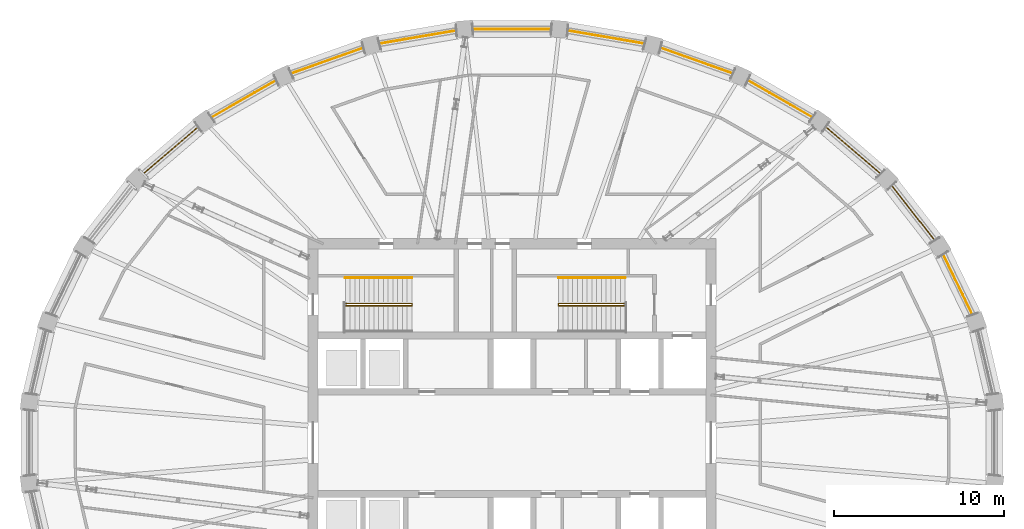
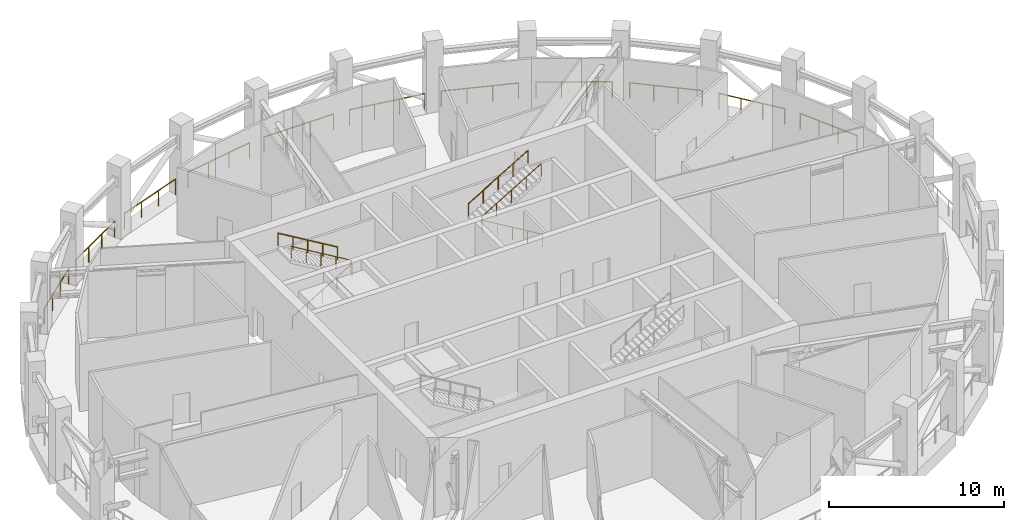
# One storey, part 19 of 20: 15 railings.
"""IFC4 building model written with IfcOpenShell, lengths in metres."""

from ifc_helpers import new_model, si_unit, direction, frame, origin, origin_2d, place, context, subcontext, project, spatial, circle, extrude, material, type_object, element, save


model = new_model("IFC4")

# Units and contexts
model_context = context("Model", 3, precision=1e-05, world=origin(), true_north=direction((0.0, 1.0)))
body_context = subcontext(model_context, "Body", "Model", "MODEL_VIEW")
ifc_project = project(units=[si_unit("LENGTHUNIT", "METRE"), si_unit("AREAUNIT", "SQUARE_METRE"), si_unit("VOLUMEUNIT", "CUBIC_METRE"), si_unit("PLANEANGLEUNIT", "RADIAN"), si_unit("MASSUNIT", "GRAM", prefix="KILO")], contexts=[model_context])

# Site, building, storey
site_placement = place(None, origin())
site = spatial("IfcSite", under=ifc_project, at=site_placement, CompositionType="ELEMENT")
building_placement = place(site_placement, origin())
building = spatial("IfcBuilding", under=site, at=building_placement, Name="Halqa Exchange Tower", CompositionType="ELEMENT")
storey_placement = place(building_placement, frame((0.0, 0.0, 328.300048828125)))
storey = spatial("IfcBuildingStorey", under=building, at=storey_placement, Name="L77", CompositionType="ELEMENT", Elevation=328.300048828125)

# Railings
ifc_material = material(Name="Stainless steel", Category="steel")
railing_type_1 = type_object("IfcRailingType", Name="Guard 1100 stainless steel", PredefinedType="GUARDRAIL", material=ifc_material)
railing_1_placement = place(storey_placement, frame((27.05517578125, 7.54150390625, 0.0)))
element("IfcRailing", 1, at=railing_1_placement, inside=storey, type_object=railing_type_1, Name="Plant edge guard 2", PredefinedType="GUARDRAIL", context=body_context, shape_type="SweptSolid", body=[
    extrude(circle(Radius=0.02392578125, at=origin_2d()), frame((0.0, 0.0, 1.076171875), z_axis=(-0.435096180498, 0.900383981263, 0.0), x_axis=(-0.900383981263, -0.435096180498, 0.0)), (0.0, 0.0, 1.0), 3.913818359375),
    extrude(circle(Radius=0.02099609375, at=origin_2d()), origin(), (0.0, 0.0, 1.0), 1.052001953125),
    extrude(circle(Radius=0.02099609375, at=origin_2d()), frame((-0.567626953125, 1.174560546875, 0.0)), (0.0, 0.0, 1.0), 1.052001953125),
    extrude(circle(Radius=0.02099609375, at=origin_2d()), frame((-1.13525390625, 2.349365234375, 0.0)), (0.0, 0.0, 1.0), 1.052001953125),
    extrude(circle(Radius=0.02099609375, at=origin_2d()), frame((-1.702880859375, 3.52392578125, 0.0)), (0.0, 0.0, 1.0), 1.052001953125),
])
railing_2_placement = place(storey_placement, frame((24.827392578125, 11.909912109375, 0.0)))
element("IfcRailing", 2, at=railing_2_placement, inside=storey, type_object=railing_type_1, Name="Plant edge guard 3", PredefinedType="GUARDRAIL", context=body_context, shape_type="SweptSolid", body=[
    extrude(circle(Radius=0.02392578125, at=origin_2d()), frame((0.0, 0.0, 1.076171875), z_axis=(-0.614821078368, 0.788666622594, 0.0), x_axis=(-0.788666622594, -0.614821078368, 0.0)), (0.0, 0.0, 1.0), 4.048828125),
    extrude(circle(Radius=0.02099609375, at=origin_2d()), origin(), (0.0, 0.0, 1.0), 1.052001953125),
    extrude(circle(Radius=0.02099609375, at=origin_2d()), frame((-0.829833984375, 1.064453125, 0.0)), (0.0, 0.0, 1.0), 1.052001953125),
    extrude(circle(Radius=0.02099609375, at=origin_2d()), frame((-1.659423828125, 2.128662109375, 0.0)), (0.0, 0.0, 1.0), 1.052001953125),
    extrude(circle(Radius=0.02099609375, at=origin_2d()), frame((-2.4892578125, 3.193115234375, 0.0)), (0.0, 0.0, 1.0), 1.052001953125),
])
railing_3_placement = place(storey_placement, frame((21.651123046875, 15.82275390625, 0.0)))
element("IfcRailing", 3, at=railing_3_placement, inside=storey, type_object=railing_type_1, Name="Plant edge guard 4", PredefinedType="GUARDRAIL", context=body_context, shape_type="SweptSolid", body=[
    extrude(circle(Radius=0.02392578125, at=origin_2d()), frame((0.0, 0.0, 1.076171875), z_axis=(-0.75927300229, 0.650772239723, 0.0), x_axis=(-0.650772239723, -0.75927300229, 0.0)), (0.0, 0.0, 1.0), 4.203125),
    extrude(circle(Radius=0.02099609375, at=origin_2d()), origin(), (0.0, 0.0, 1.0), 1.052001953125),
    extrude(circle(Radius=0.02099609375, at=origin_2d()), frame((-1.063720703125, 0.911865234375, 0.0)), (0.0, 0.0, 1.0), 1.052001953125),
    extrude(circle(Radius=0.02099609375, at=origin_2d()), frame((-2.127685546875, 1.823486328125, 0.0)), (0.0, 0.0, 1.0), 1.052001953125),
    extrude(circle(Radius=0.02099609375, at=origin_2d()), frame((-3.19140625, 2.7353515625, 0.0)), (0.0, 0.0, 1.0), 1.052001953125),
])
railing_4_placement = place(storey_placement, frame((17.646240234375, 19.132080078125, 0.0)))
element("IfcRailing", 4, at=railing_4_placement, inside=storey, type_object=railing_type_1, Name="Plant edge guard 5", PredefinedType="GUARDRAIL", context=body_context, shape_type="SweptSolid", body=[
    extrude(circle(Radius=0.02392578125, at=origin_2d()), frame((0.0, 0.0, 1.076171875), z_axis=(-0.867752650497, 0.496996315434, 0.0), x_axis=(-0.496996315434, -0.867752650497, 0.0)), (0.0, 0.0, 1.0), 4.353271484375),
    extrude(circle(Radius=0.02099609375, at=origin_2d()), origin(), (0.0, 0.0, 1.0), 1.052001953125),
    extrude(circle(Radius=0.02099609375, at=origin_2d()), frame((-1.25927734375, 0.72119140625, 0.0)), (0.0, 0.0, 1.0), 1.052001953125),
    extrude(circle(Radius=0.02099609375, at=origin_2d()), frame((-2.518310546875, 1.4423828125, 0.0)), (0.0, 0.0, 1.0), 1.052001953125),
    extrude(circle(Radius=0.02099609375, at=origin_2d()), frame((-3.777587890625, 2.16357421875, 0.0)), (0.0, 0.0, 1.0), 1.052001953125),
])
railing_5_placement = place(storey_placement, frame((12.963623046875, 21.71142578125, 0.0)))
element("IfcRailing", 5, at=railing_5_placement, inside=storey, type_object=railing_type_1, Name="Plant edge guard 6", PredefinedType="GUARDRAIL", context=body_context, shape_type="SweptSolid", body=[
    extrude(circle(Radius=0.02392578125, at=origin_2d()), frame((0.0, 0.0, 1.076171875), z_axis=(-0.942364531835, 0.334587939321, 0.0), x_axis=(-0.334587939321, -0.942364531835, 0.0)), (0.0, 0.0, 1.0), 4.477294921875),
    extrude(circle(Radius=0.02099609375, at=origin_2d()), origin(), (0.0, 0.0, 1.0), 1.052001953125),
    extrude(circle(Radius=0.02099609375, at=origin_2d()), frame((-1.406494140625, 0.499267578125, 0.0)), (0.0, 0.0, 1.0), 1.052001953125),
    extrude(circle(Radius=0.02099609375, at=origin_2d()), frame((-2.812744140625, 0.998779296875, 0.0)), (0.0, 0.0, 1.0), 1.052001953125),
    extrude(circle(Radius=0.02099609375, at=origin_2d()), frame((-4.21923828125, 1.498046875, 0.0)), (0.0, 0.0, 1.0), 1.052001953125),
])
railing_6_placement = place(storey_placement, frame((7.7802734375, 23.460693359375, 0.0)))
element("IfcRailing", 6, at=railing_6_placement, inside=storey, type_object=railing_type_1, Name="Plant edge guard 7", PredefinedType="GUARDRAIL", context=body_context, shape_type="SweptSolid", body=[
    extrude(circle(Radius=0.02392578125, at=origin_2d()), frame((0.0, 0.0, 1.076171875), z_axis=(-0.985768911013, 0.168106079843, 0.0), x_axis=(-0.168106079843, -0.985768911013, 0.0)), (0.0, 0.0, 1.0), 4.558837890625),
    extrude(circle(Radius=0.02099609375, at=origin_2d()), origin(), (0.0, 0.0, 1.0), 1.052001953125),
    extrude(circle(Radius=0.02099609375, at=origin_2d()), frame((-1.498046875, 0.25537109375, 0.0)), (0.0, 0.0, 1.0), 1.052001953125),
    extrude(circle(Radius=0.02099609375, at=origin_2d()), frame((-2.995849609375, 0.510986328125, 0.0)), (0.0, 0.0, 1.0), 1.052001953125),
    extrude(circle(Radius=0.02099609375, at=origin_2d()), frame((-4.493896484375, 0.766357421875, 0.0)), (0.0, 0.0, 1.0), 1.052001953125),
])
railing_7_placement = place(storey_placement, frame((2.29345703125, 24.31103515625, 0.0)))
element("IfcRailing", 7, at=railing_7_placement, inside=storey, type_object=railing_type_1, Name="Plant edge guard 8", PredefinedType="GUARDRAIL", context=body_context, shape_type="SweptSolid", body=[
    extrude(circle(Radius=0.02392578125, at=origin_2d()), frame((0.0, 0.0, 1.076171875), z_axis=(-1.0, 0.0, 0.0), x_axis=(0.0, -1.0, 0.0)), (0.0, 0.0, 1.0), 4.5869140625),
    extrude(circle(Radius=0.02099609375, at=origin_2d()), origin(), (0.0, 0.0, 1.0), 1.052001953125),
    extrude(circle(Radius=0.02099609375, at=origin_2d()), frame((-1.529052734375, 0.0, 0.0)), (0.0, 0.0, 1.0), 1.052001953125),
    extrude(circle(Radius=0.02099609375, at=origin_2d()), frame((-3.057861328125, 0.0, 0.0)), (0.0, 0.0, 1.0), 1.052001953125),
    extrude(circle(Radius=0.02099609375, at=origin_2d()), frame((-4.5869140625, 0.0, 0.0)), (0.0, 0.0, 1.0), 1.052001953125),
])
railing_8_placement = place(storey_placement, frame((-3.286376953125, 24.22705078125, 0.0)))
element("IfcRailing", 8, at=railing_8_placement, inside=storey, type_object=railing_type_1, Name="Plant edge guard 9", PredefinedType="GUARDRAIL", context=body_context, shape_type="SweptSolid", body=[
    extrude(circle(Radius=0.02392578125, at=origin_2d()), frame((0.0, 0.0, 1.076171875), z_axis=(-0.985768911013, -0.168106079843, 0.0), x_axis=(0.168106079843, -0.985768911013, 0.0)), (0.0, 0.0, 1.0), 4.558837890625),
    extrude(circle(Radius=0.02099609375, at=origin_2d()), origin(), (0.0, 0.0, 1.0), 1.052001953125),
    extrude(circle(Radius=0.02099609375, at=origin_2d()), frame((-1.498046875, -0.25537109375, 0.0)), (0.0, 0.0, 1.0), 1.052001953125),
    extrude(circle(Radius=0.02099609375, at=origin_2d()), frame((-2.995849609375, -0.510986328125, 0.0)), (0.0, 0.0, 1.0), 1.052001953125),
    extrude(circle(Radius=0.02099609375, at=origin_2d()), frame((-4.493896484375, -0.766357421875, 0.0)), (0.0, 0.0, 1.0), 1.052001953125),
])
railing_9_placement = place(storey_placement, frame((-8.744384765625, 23.20947265625, 0.0)))
element("IfcRailing", 9, at=railing_9_placement, inside=storey, type_object=railing_type_1, Name="Plant edge guard 10", PredefinedType="GUARDRAIL", context=body_context, shape_type="SweptSolid", body=[
    extrude(circle(Radius=0.02392578125, at=origin_2d()), frame((0.0, 0.0, 1.076171875), z_axis=(-0.942364531835, -0.334587939321, 0.0), x_axis=(0.334587939321, -0.942364531835, 0.0)), (0.0, 0.0, 1.0), 4.477294921875),
    extrude(circle(Radius=0.02099609375, at=origin_2d()), origin(), (0.0, 0.0, 1.0), 1.052001953125),
    extrude(circle(Radius=0.02099609375, at=origin_2d()), frame((-1.406494140625, -0.499267578125, 0.0)), (0.0, 0.0, 1.0), 1.052001953125),
    extrude(circle(Radius=0.02099609375, at=origin_2d()), frame((-2.812744140625, -0.998779296875, 0.0)), (0.0, 0.0, 1.0), 1.052001953125),
    extrude(circle(Radius=0.02099609375, at=origin_2d()), frame((-4.21923828125, -1.498046875, 0.0)), (0.0, 0.0, 1.0), 1.052001953125),
])
railing_10_placement = place(storey_placement, frame((-13.86865234375, 21.295654296875, 0.0)))
element("IfcRailing", 10, at=railing_10_placement, inside=storey, type_object=railing_type_1, Name="Plant edge guard 11", PredefinedType="GUARDRAIL", context=body_context, shape_type="SweptSolid", body=[
    extrude(circle(Radius=0.02392578125, at=origin_2d()), frame((0.0, 0.0, 1.076171875), z_axis=(-0.867752650497, -0.496996315434, 0.0), x_axis=(0.496996315434, -0.867752650497, 0.0)), (0.0, 0.0, 1.0), 4.353271484375),
    extrude(circle(Radius=0.02099609375, at=origin_2d()), origin(), (0.0, 0.0, 1.0), 1.052001953125),
    extrude(circle(Radius=0.02099609375, at=origin_2d()), frame((-1.25927734375, -0.72119140625, 0.0)), (0.0, 0.0, 1.0), 1.052001953125),
    extrude(circle(Radius=0.02099609375, at=origin_2d()), frame((-2.518310546875, -1.4423828125, 0.0)), (0.0, 0.0, 1.0), 1.052001953125),
    extrude(circle(Radius=0.02099609375, at=origin_2d()), frame((-3.777587890625, -2.16357421875, 0.0)), (0.0, 0.0, 1.0), 1.052001953125),
])
railing_11_placement = place(storey_placement, frame((-18.459716796875, 18.55810546875, 0.0)))
element("IfcRailing", 11, at=railing_11_placement, inside=storey, type_object=railing_type_1, Name="Plant edge guard 12", PredefinedType="GUARDRAIL", context=body_context, shape_type="SweptSolid", body=[
    extrude(circle(Radius=0.02392578125, at=origin_2d()), frame((0.0, 0.0, 1.076171875), z_axis=(-0.75927300229, -0.650772239723, 0.0), x_axis=(0.650772239723, -0.75927300229, 0.0)), (0.0, 0.0, 1.0), 4.203125),
    extrude(circle(Radius=0.02099609375, at=origin_2d()), origin(), (0.0, 0.0, 1.0), 1.052001953125),
    extrude(circle(Radius=0.02099609375, at=origin_2d()), frame((-1.063720703125, -0.911865234375, 0.0)), (0.0, 0.0, 1.0), 1.052001953125),
    extrude(circle(Radius=0.02099609375, at=origin_2d()), frame((-2.127685546875, -1.823486328125, 0.0)), (0.0, 0.0, 1.0), 1.052001953125),
    extrude(circle(Radius=0.02099609375, at=origin_2d()), frame((-3.19140625, -2.7353515625, 0.0)), (0.0, 0.0, 1.0), 1.052001953125),
])
railing_type_2 = type_object("IfcRailingType", Name="Stair handrail 900", PredefinedType="HANDRAIL", material=ifc_material)
railing_12_placement = place(storey_placement, frame((-9.800048828125, 8.06005859375, 0.166748046875)))
element("IfcRailing", 12, at=railing_12_placement, inside=storey, type_object=railing_type_2, Name="Handrail ST1.1", PredefinedType="HANDRAIL", context=body_context, shape_type="SweptSolid", body=[
    extrude(circle(Radius=0.02392578125, at=origin_2d()), frame((0.0, 0.0, 0.8759765625), z_axis=(0.859310244771, 0.0, 0.511454693235), x_axis=(0.0, 1.0, 0.0)), (0.0, 0.0, 1.0), 4.56201171875),
    extrude(circle(Radius=0.02392578125, at=origin_2d()), frame((3.920166015625, 0.0, 3.208984375), z_axis=(0.0, 0.614500226555, 0.788916644243), x_axis=(-1.0, 0.0, 0.0)), (0.0, 0.0, 1.0), 0.21142578125),
    extrude(circle(Radius=0.02392578125, at=origin_2d()), frame((3.920166015625, 0.1298828125, 3.3759765625), z_axis=(-0.859310244771, 0.0, 0.511454693235), x_axis=(0.0, -1.0, 0.0)), (0.0, 0.0, 1.0), 4.56201171875),
    extrude(circle(Radius=0.02099609375, at=origin_2d()), origin(), (0.0, 0.0, 1.0), 0.851806640625),
    extrude(circle(Radius=0.02099609375, at=origin_2d()), frame((0.97998046875, 0.0, 0.583251953125)), (0.0, 0.0, 1.0), 0.851806640625),
    extrude(circle(Radius=0.02099609375, at=origin_2d()), frame((1.9599609375, 0.0, 1.16650390625)), (0.0, 0.0, 1.0), 0.851806640625),
    extrude(circle(Radius=0.02099609375, at=origin_2d()), frame((2.940185546875, 0.0, 1.75)), (0.0, 0.0, 1.0), 0.851806640625),
    extrude(circle(Radius=0.02099609375, at=origin_2d()), frame((3.920166015625, 0.0, 2.333251953125)), (0.0, 0.0, 1.0), 0.851806640625),
    extrude(circle(Radius=0.02099609375, at=origin_2d()), frame((3.920166015625, 0.1298828125, 2.5)), (0.0, 0.0, 1.0), 0.851806640625),
    extrude(circle(Radius=0.02099609375, at=origin_2d()), frame((2.940185546875, 0.1298828125, 3.083251953125)), (0.0, 0.0, 1.0), 0.851806640625),
    extrude(circle(Radius=0.02099609375, at=origin_2d()), frame((1.9599609375, 0.1298828125, 3.66650390625)), (0.0, 0.0, 1.0), 0.851806640625),
    extrude(circle(Radius=0.02099609375, at=origin_2d()), frame((0.97998046875, 0.1298828125, 4.25)), (0.0, 0.0, 1.0), 0.851806640625),
    extrude(circle(Radius=0.02099609375, at=origin_2d()), frame((0.0, 0.1298828125, 4.833251953125)), (0.0, 0.0, 1.0), 0.851806640625),
])
railing_13_placement = place(storey_placement, frame((-5.8798828125, 9.699951171875, 2.666748046875)))
element("IfcRailing", 13, at=railing_13_placement, inside=storey, type_object=railing_type_2, Name="Handrail ST1.3", PredefinedType="HANDRAIL", context=body_context, shape_type="SweptSolid", body=[
    extrude(circle(Radius=0.02392578125, at=origin_2d()), frame((0.0, 0.0, 0.8759765625), z_axis=(-0.859310244771, 0.0, 0.511454693235), x_axis=(0.0, -1.0, 0.0)), (0.0, 0.0, 1.0), 4.56201171875),
    extrude(circle(Radius=0.02099609375, at=origin_2d()), origin(), (0.0, 0.0, 1.0), 0.851806640625),
    extrude(circle(Radius=0.02099609375, at=origin_2d()), frame((-0.97998046875, 0.0, 0.583251953125)), (0.0, 0.0, 1.0), 0.851806640625),
    extrude(circle(Radius=0.02099609375, at=origin_2d()), frame((-1.9599609375, 0.0, 1.16650390625)), (0.0, 0.0, 1.0), 0.851806640625),
    extrude(circle(Radius=0.02099609375, at=origin_2d()), frame((-2.940185546875, 0.0, 1.75)), (0.0, 0.0, 1.0), 0.851806640625),
    extrude(circle(Radius=0.02099609375, at=origin_2d()), frame((-3.920166015625, 0.0, 2.333251953125)), (0.0, 0.0, 1.0), 0.851806640625),
])
railing_14_placement = place(storey_placement, frame((6.64990234375, 8.06005859375, 0.166748046875)))
element("IfcRailing", 14, at=railing_14_placement, inside=storey, type_object=railing_type_2, Name="Handrail ST2.1", PredefinedType="HANDRAIL", context=body_context, shape_type="SweptSolid", body=[
    extrude(circle(Radius=0.02392578125, at=origin_2d()), frame((0.0, 0.0, 0.8759765625), z_axis=(-0.859296244711, 0.0, 0.511478214419), x_axis=(0.0, -1.0, 0.0)), (0.0, 0.0, 1.0), 4.561767578125),
    extrude(circle(Radius=0.02392578125, at=origin_2d()), frame((-3.919921875, 0.0, 3.208984375), z_axis=(0.0, 0.614500226555, 0.788916644243), x_axis=(-1.0, 0.0, 0.0)), (0.0, 0.0, 1.0), 0.21142578125),
    extrude(circle(Radius=0.02392578125, at=origin_2d()), frame((-3.919921875, 0.1298828125, 3.3759765625), z_axis=(0.859296244711, 0.0, 0.511478214419), x_axis=(0.0, 1.0, 0.0)), (0.0, 0.0, 1.0), 4.561767578125),
    extrude(circle(Radius=0.02099609375, at=origin_2d()), origin(), (0.0, 0.0, 1.0), 0.851806640625),
    extrude(circle(Radius=0.02099609375, at=origin_2d()), frame((-0.97998046875, 0.0, 0.583251953125)), (0.0, 0.0, 1.0), 0.851806640625),
    extrude(circle(Radius=0.02099609375, at=origin_2d()), frame((-1.9599609375, 0.0, 1.16650390625)), (0.0, 0.0, 1.0), 0.851806640625),
    extrude(circle(Radius=0.02099609375, at=origin_2d()), frame((-2.93994140625, 0.0, 1.75)), (0.0, 0.0, 1.0), 0.851806640625),
    extrude(circle(Radius=0.02099609375, at=origin_2d()), frame((-3.919921875, 0.0, 2.333251953125)), (0.0, 0.0, 1.0), 0.851806640625),
    extrude(circle(Radius=0.02099609375, at=origin_2d()), frame((-3.919921875, 0.1298828125, 2.5)), (0.0, 0.0, 1.0), 0.851806640625),
    extrude(circle(Radius=0.02099609375, at=origin_2d()), frame((-2.93994140625, 0.1298828125, 3.083251953125)), (0.0, 0.0, 1.0), 0.851806640625),
    extrude(circle(Radius=0.02099609375, at=origin_2d()), frame((-1.9599609375, 0.1298828125, 3.66650390625)), (0.0, 0.0, 1.0), 0.851806640625),
    extrude(circle(Radius=0.02099609375, at=origin_2d()), frame((-0.97998046875, 0.1298828125, 4.25)), (0.0, 0.0, 1.0), 0.851806640625),
    extrude(circle(Radius=0.02099609375, at=origin_2d()), frame((0.0, 0.1298828125, 4.833251953125)), (0.0, 0.0, 1.0), 0.851806640625),
])
railing_15_placement = place(storey_placement, frame((2.72998046875, 9.699951171875, 2.666748046875)))
element("IfcRailing", 15, at=railing_15_placement, inside=storey, type_object=railing_type_2, Name="Handrail ST2.3", PredefinedType="HANDRAIL", context=body_context, shape_type="SweptSolid", body=[
    extrude(circle(Radius=0.02392578125, at=origin_2d()), frame((0.0, 0.0, 0.8759765625), z_axis=(0.859296244711, 0.0, 0.511478214419), x_axis=(0.0, 1.0, 0.0)), (0.0, 0.0, 1.0), 4.561767578125),
    extrude(circle(Radius=0.02099609375, at=origin_2d()), origin(), (0.0, 0.0, 1.0), 0.851806640625),
    extrude(circle(Radius=0.02099609375, at=origin_2d()), frame((0.97998046875, 0.0, 0.583251953125)), (0.0, 0.0, 1.0), 0.851806640625),
    extrude(circle(Radius=0.02099609375, at=origin_2d()), frame((1.9599609375, 0.0, 1.16650390625)), (0.0, 0.0, 1.0), 0.851806640625),
    extrude(circle(Radius=0.02099609375, at=origin_2d()), frame((2.93994140625, 0.0, 1.75)), (0.0, 0.0, 1.0), 0.851806640625),
    extrude(circle(Radius=0.02099609375, at=origin_2d()), frame((3.919921875, 0.0, 2.333251953125)), (0.0, 0.0, 1.0), 0.851806640625),
])

save(model, "model.ifc")
